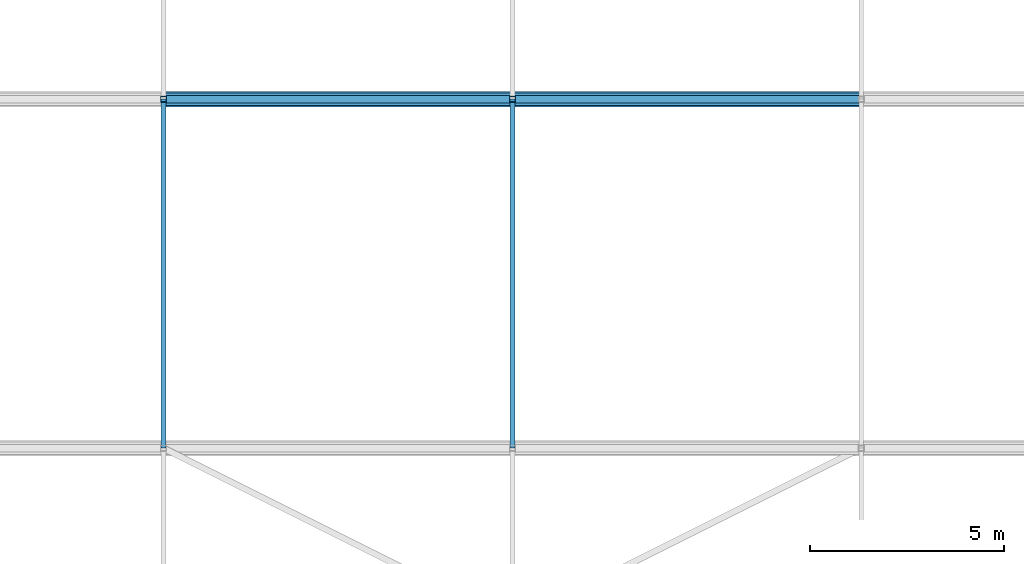
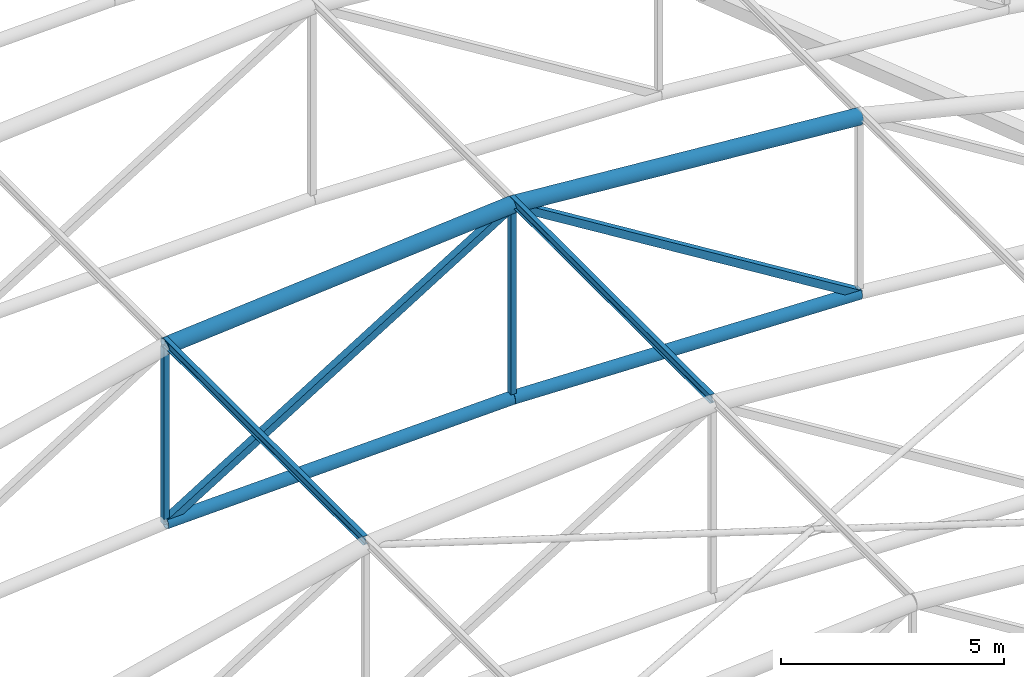
# One storey, part 12 of 167: 10 members.
"""IFC4 building model written with IfcOpenShell, lengths in metres."""

from ifc_helpers import new_model, si_unit, direction, frame, origin, origin_2d, place, context, subcontext, project, spatial, hollow_rectangle, hollow_circle, i_section, extrude, material, material_profile, profile_set, type_object, element, save


model = new_model("IFC4")

# Units and contexts
model_context = context("Model", 3, precision=1e-05, world=origin(), true_north=direction((0.0, 1.0)))
body_context = subcontext(model_context, "Body", "Model", "MODEL_VIEW")
ifc_project = project(units=[si_unit("LENGTHUNIT", "METRE"), si_unit("AREAUNIT", "SQUARE_METRE"), si_unit("VOLUMEUNIT", "CUBIC_METRE"), si_unit("PLANEANGLEUNIT", "RADIAN"), si_unit("MASSUNIT", "GRAM", prefix="KILO")], contexts=[model_context])

# Site, building, storey
site_placement = place(None, origin())
site = spatial("IfcSite", under=ifc_project, at=site_placement, CompositionType="ELEMENT")
building_placement = place(site_placement, origin())
building = spatial("IfcBuilding", under=site, at=building_placement, Name="Dornveld Trade and Exhibition Forum", CompositionType="ELEMENT")
storey_placement = place(building_placement, frame((0.0, 0.0, 16.800048828125)))
storey = spatial("IfcBuildingStorey", under=building, at=storey_placement, Name="L03", CompositionType="ELEMENT", Elevation=16.800048828125)

# Members
ifc_material_1 = material(Name="Steel S355J2", Category="steel")
ifc_material_profile_1 = material_profile(ifc_material_1, hollow_circle(Radius=0.161865234375, WallThickness=0.01611328125, at=origin_2d()), Name="CHS 323.9x16")
ifc_profile_set_1 = profile_set([ifc_material_profile_1], Name="Steel S355J2")
member_type_1 = type_object("IfcMemberType", Name="MEM-ARCH-BC", PredefinedType="CHORD", material=ifc_profile_set_1)
for number, where, z_axis, x_axis, name in (
    (1, (45.0, 54.0, 6.083251953125), (0.999561545365, 0.0, 0.029609407757), (0.0, 1.0, 0.0), "H3 truss 3 tie chord 3"),
    (2, (54.0, 54.0, 6.349853515625), (0.999561545365, 0.0, -0.029609407757), (0.0, 1.0, 0.0), "H3 truss 3 tie chord 4"),
):
    element("IfcMember", number, at=place(storey_placement, frame(where, z_axis=z_axis, x_axis=x_axis)), inside=storey, type_object=member_type_1, Name=name, PredefinedType="CHORD", context=body_context, shape_type="SweptSolid", body=[
        extrude(hollow_circle(Radius=0.161865234375, WallThickness=0.01611328125, at=origin_2d()), origin(), (0.0, 0.0, 1.0), 9.00390625),
    ])
ifc_material_2 = material(Name="Steel S355J2", Category="steel")
ifc_material_profile_2 = material_profile(ifc_material_2, hollow_rectangle(XDim=0.14990234375, YDim=0.14990234375, WallThickness=0.008056640625, at=origin_2d()), Name="SHS 150x150x8")
ifc_profile_set_2 = profile_set([ifc_material_profile_2], Name="Steel S355J2")
member_type_2 = type_object("IfcMemberType", Name="MEM-ARCH-STR", PredefinedType="STRUT", material=ifc_profile_set_2)
member_1_placement = place(storey_placement, frame((45.0, 54.0, 6.083251953125), z_axis=(0.0, 0.0, 1.0), x_axis=(1.0, 0.0, 0.0)))
element("IfcMember", 3, at=member_1_placement, inside=storey, type_object=member_type_2, Name="H3 truss 3 strut 3", PredefinedType="STRUT", context=body_context, shape_type="SweptSolid", body=[
    extrude(hollow_rectangle(XDim=0.14990234375, YDim=0.14990234375, WallThickness=0.008056640625, at=origin_2d()), origin(), (0.0, 0.0, 1.0), 4.83349609375),
])
member_2_placement = place(storey_placement, frame((54.0, 54.0, 6.349853515625), z_axis=(0.0, 0.0, 1.0), x_axis=(1.0, 0.0, 0.0)))
element("IfcMember", 4, at=member_2_placement, inside=storey, type_object=member_type_2, Name="H3 truss 3 strut 4", PredefinedType="STRUT", context=body_context, shape_type="SweptSolid", body=[
    extrude(hollow_rectangle(XDim=0.14990234375, YDim=0.14990234375, WallThickness=0.008056640625, at=origin_2d()), origin(), (0.0, 0.0, 1.0), 5.300048828125),
])
ifc_material_3 = material(Name="Steel S355J2", Category="steel")
ifc_material_profile_3 = material_profile(ifc_material_3, hollow_circle(Radius=0.203125, WallThickness=0.02001953125, at=origin_2d()), Name="CHS 406.4x20")
ifc_profile_set_3 = profile_set([ifc_material_profile_3], Name="Steel S355J2")
member_type_3 = type_object("IfcMemberType", Name="MEM-ARCH-TC", PredefinedType="CHORD", material=ifc_profile_set_3)
for number, where, z_axis, x_axis, name in (
    (5, (45.0, 54.0, 10.916748046875), (0.996698427641, 0.0, 0.081192637213), (0.0, 1.0, 0.0), "H3 truss 3 top chord 3"),
    (6, (54.0, 54.0, 11.64990234375), (0.996698427641, 0.0, -0.081192637213), (0.0, 1.0, 0.0), "H3 truss 3 top chord 4"),
):
    element("IfcMember", number, at=place(storey_placement, frame(where, z_axis=z_axis, x_axis=x_axis)), inside=storey, type_object=member_type_3, Name=name, PredefinedType="CHORD", context=body_context, shape_type="SweptSolid", body=[
        extrude(hollow_circle(Radius=0.203125, WallThickness=0.02001953125, at=origin_2d()), origin(), (0.0, 0.0, 1.0), 9.02978515625),
    ])
ifc_material_4 = material(Name="Steel S355J2", Category="steel")
ifc_material_profile_4 = material_profile(ifc_material_4, hollow_rectangle(XDim=0.199951171875, YDim=0.199951171875, WallThickness=0.010009765625, at=origin_2d()), Name="SHS 200x200x10")
ifc_profile_set_4 = profile_set([ifc_material_profile_4], Name="Steel S355J2")
member_type_4 = type_object("IfcMemberType", Name="MEM-ARCH-WEB", PredefinedType="BRACE", material=ifc_profile_set_4)
for number, where, z_axis, x_axis, name in (
    (7, (45.0, 54.0, 6.083251953125), (0.850467158024, 0.0, 0.526028148603), (0.0, 1.0, 0.0), "H3 truss 3 web 3"),
    (8, (63.0, 54.0, 6.083251953125), (-0.850467158024, 0.0, 0.526028148603), (0.0, -1.0, 0.0), "H3 truss 3 web 4"),
):
    element("IfcMember", number, at=place(storey_placement, frame(where, z_axis=z_axis, x_axis=x_axis)), inside=storey, type_object=member_type_4, Name=name, PredefinedType="BRACE", context=body_context, shape_type="SweptSolid", body=[
        extrude(hollow_rectangle(XDim=0.199951171875, YDim=0.199951171875, WallThickness=0.010009765625, at=origin_2d()), origin(), (0.0, 0.0, 1.0), 10.58251953125),
    ])
ifc_material_5 = material(Name="Steel S355J2", Category="steel")
ifc_material_profile_5 = material_profile(ifc_material_5, i_section(OverallWidth=0.1201171875, OverallDepth=0.239990234375, WebThickness=0.006103515625, FlangeThickness=0.009765625, FilletRadius=0.014892578125, at=origin_2d()), Name="IPE 240")
ifc_profile_set_5 = profile_set([ifc_material_profile_5], Name="Steel S355J2")
member_type_5 = type_object("IfcMemberType", Name="MEM-PURLIN-240", PredefinedType="PURLIN", material=ifc_profile_set_5)
for number, where, z_axis, x_axis, name in (
    (9, (45.0, 45.0, 11.048583984375), (0.0, 1.0, 0.0), (-1.0, 0.0, 0.0), "H3 bay 2 roof purlin 3"),
    (10, (54.0, 45.0, 11.781982421875), (0.0, 1.0, 0.0), (-1.0, 0.0, 0.0), "H3 bay 2 roof purlin 4"),
):
    element("IfcMember", number, at=place(storey_placement, frame(where, z_axis=z_axis, x_axis=x_axis)), inside=storey, type_object=member_type_5, Name=name, PredefinedType="PURLIN", context=body_context, shape_type="SweptSolid", body=[
        extrude(i_section(OverallWidth=0.1201171875, OverallDepth=0.239990234375, WebThickness=0.006103515625, FlangeThickness=0.009765625, FilletRadius=0.014892578125, at=origin_2d()), origin(), (0.0, 0.0, 1.0), 9.0),
    ])

save(model, "model.ifc")
